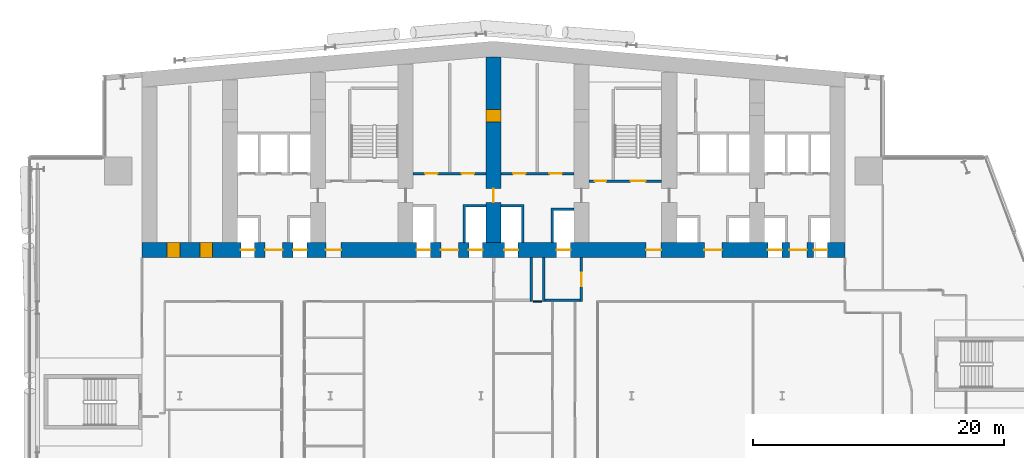
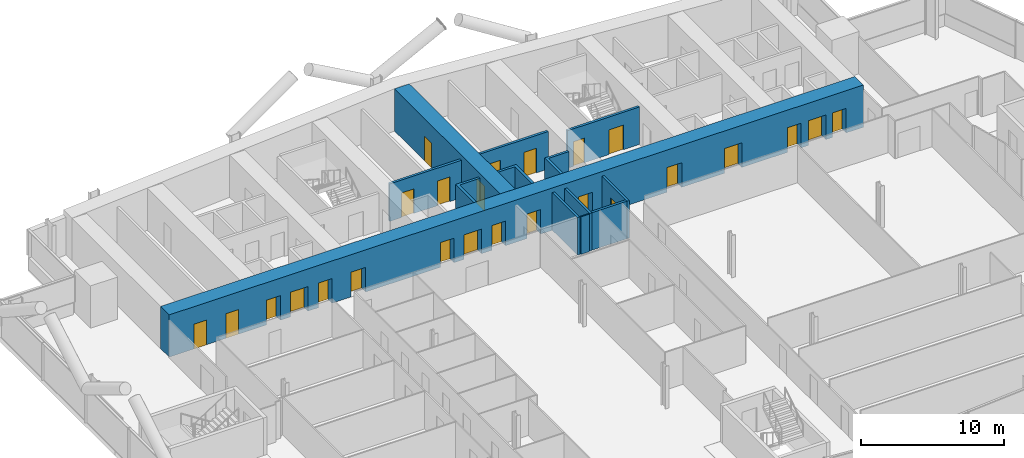
# One storey, part 16 of 27: 25 doors, 13 walls, 25 openings.
"""IFC4 building model written with IfcOpenShell, lengths in metres."""

from ifc_helpers import new_model, si_unit, direction, frame, frame_2d, origin, place, context, subcontext, project, spatial, polyline, rectangle, outline, extrude, material, layer, layer_set, type_object, element, fill, save


model = new_model("IFC4")

# Units and contexts
model_context = context("Model", 3, precision=1e-05, world=origin(), true_north=direction((0.0, 1.0)))
body_context = subcontext(model_context, "Body", "Model", "MODEL_VIEW")
ifc_project = project(units=[si_unit("LENGTHUNIT", "METRE"), si_unit("AREAUNIT", "SQUARE_METRE"), si_unit("VOLUMEUNIT", "CUBIC_METRE"), si_unit("PLANEANGLEUNIT", "RADIAN"), si_unit("MASSUNIT", "GRAM", prefix="KILO")], contexts=[model_context])

# Site, building, storey
site_placement = place(None, origin())
site = spatial("IfcSite", under=ifc_project, at=site_placement, CompositionType="ELEMENT")
building_placement = place(site_placement, origin())
building = spatial("IfcBuilding", under=site, at=building_placement, Name="Wharfspan Tower", CompositionType="ELEMENT")
storey_placement = place(building_placement, frame((0.0, 0.0, 81.100098)))
storey = spatial("IfcBuildingStorey", under=building, at=storey_placement, Name="L17", CompositionType="ELEMENT", Elevation=81.100098)

# Wall
ifc_material_1 = material(Name="Gypsum board on steel studs", Category="steel")
ifc_layer_1 = layer(ifc_material_1, 0.100098)
ifc_layer_set_1 = layer_set([ifc_layer_1], Name="Gypsum board on steel studs")
wall_type_1 = type_object("IfcWallType", Name="Compartment wall 100 EI 60", PredefinedType="PARTITIONING", material=ifc_layer_set_1)
wall_1_placement = place(storey_placement, frame((40.149902, 30.5, 0.0), z_axis=(0.0, 0.0, 1.0), x_axis=(1.0, 0.0, 0.0)))
element("IfcWall", 1, at=wall_1_placement, inside=storey, type_object=wall_type_1, Name="Partition L17.w026 (2)", PredefinedType="PARTITIONING", context=body_context, shape_type="SweptSolid", body=[
    extrude(rectangle(XDim=0.700195, YDim=0.100098, at=frame_2d((0.350098, 0.0))), origin(), (0.0, 0.0, 1.0), 3.199951),
])

# Wall, openings, doors
ifc_material_2 = material(Name="Concrete C70/85", Category="concrete")
ifc_layer_2 = layer(ifc_material_2, 1.199951)
ifc_layer_set_2 = layer_set([ifc_layer_2], Name="Concrete C70/85")
wall_type_2 = type_object("IfcWallType", Name="Core wall 1200 C70/85", PredefinedType="SHEAR", material=ifc_layer_set_2)
wall_2_placement = place(storey_placement, frame((9.0, 34.600098, 0.0), z_axis=(0.0, 0.0, 1.0), x_axis=(1.0, 0.0, 0.0)))
wall_2 = element("IfcWall", 2, at=wall_2_placement, inside=storey, type_object=wall_type_2, Name="Core front wall L17", PredefinedType="SHEAR", context=body_context, shape_type="SweptSolid", body=[
    extrude(rectangle(XDim=56.0, YDim=1.199951, at=frame_2d((28.0, 0.0))), origin(), (0.0, 0.0, 1.0), 3.599854),
])
opening_1_placement = place(wall_2_placement, frame((2.0, 0.0, 0.0)))
opening_1 = element("IfcOpeningElement", 3, at=opening_1_placement, cuts=wall_2, Name="Opening CD17.01", PredefinedType="OPENING", context=body_context, shape_type="SweptSolid", body=[
    extrude(rectangle(XDim=1.0, YDim=2.100098, at=frame_2d((0.5, 1.050049))), frame((0.0, 0.609863, 0.0), z_axis=(0.0, -1.0, 0.0), x_axis=(1.0, 0.0, 0.0)), (0.0, 0.0, 1.0), 1.219971),
])
opening_2_placement = place(wall_2_placement, frame((4.600098, 0.0, 0.0)))
opening_2 = element("IfcOpeningElement", 4, at=opening_2_placement, cuts=wall_2, Name="Opening CD17.02", PredefinedType="OPENING", context=body_context, shape_type="SweptSolid", body=[
    extrude(rectangle(XDim=1.0, YDim=2.100098, at=frame_2d((0.5, 1.050049))), frame((0.0, 0.609863, 0.0), z_axis=(0.0, -1.0, 0.0), x_axis=(1.0, 0.0, 0.0)), (0.0, 0.0, 1.0), 1.219971),
])
opening_3_placement = place(wall_2_placement, frame((7.866699, 0.0, 0.0)))
opening_3 = element("IfcOpeningElement", 5, at=opening_3_placement, cuts=wall_2, Name="Opening LD.LA1.L17", PredefinedType="OPENING", context=body_context, shape_type="SweptSolid", body=[
    extrude(rectangle(XDim=1.100098, YDim=2.100098, at=frame_2d((0.550049, 1.050049))), frame((0.0, 0.609863, 0.0), z_axis=(0.0, -1.0, 0.0), x_axis=(1.0, 0.0, 0.0)), (0.0, 0.0, 1.0), 1.219971),
])
opening_4_placement = place(wall_2_placement, frame((12.033203, 0.0, 0.0)))
opening_4 = element("IfcOpeningElement", 6, at=opening_4_placement, cuts=wall_2, Name="Opening LD.LA2.L17", PredefinedType="OPENING", context=body_context, shape_type="SweptSolid", body=[
    extrude(rectangle(XDim=1.100098, YDim=2.100098, at=frame_2d((0.550049, 1.050049))), frame((0.0, 0.609863, 0.0), z_axis=(0.0, -1.0, 0.0), x_axis=(1.0, 0.0, 0.0)), (0.0, 0.0, 1.0), 1.219971),
])
opening_5_placement = place(wall_2_placement, frame((9.800049, 0.0, 0.0)))
opening_5 = element("IfcOpeningElement", 7, at=opening_5_placement, cuts=wall_2, Name="Opening HD17.1", PredefinedType="OPENING", context=body_context, shape_type="SweptSolid", body=[
    extrude(rectangle(XDim=1.399902, YDim=2.100098, at=frame_2d((0.699951, 1.050049))), frame((0.0, 0.609863, 0.0), z_axis=(0.0, -1.0, 0.0), x_axis=(1.0, 0.0, 0.0)), (0.0, 0.0, 1.0), 1.219971),
])
opening_6_placement = place(wall_2_placement, frame((14.649902, 0.0, 0.0)))
opening_6 = element("IfcOpeningElement", 8, at=opening_6_placement, cuts=wall_2, Name="Opening SV2.L17", PredefinedType="OPENING", context=body_context, shape_type="SweptSolid", body=[
    extrude(rectangle(XDim=1.199951, YDim=2.100098, at=frame_2d((0.600098, 1.050049))), frame((0.0, 0.609863, 0.0), z_axis=(0.0, -1.0, 0.0), x_axis=(1.0, 0.0, 0.0)), (0.0, 0.0, 1.0), 1.219971),
])
opening_7_placement = place(wall_2_placement, frame((21.866699, 0.0, 0.0)))
opening_7 = element("IfcOpeningElement", 9, at=opening_7_placement, cuts=wall_2, Name="Opening LD.SL1.L17", PredefinedType="OPENING", context=body_context, shape_type="SweptSolid", body=[
    extrude(rectangle(XDim=1.100098, YDim=2.100098, at=frame_2d((0.550049, 1.050049))), frame((0.0, 0.609863, 0.0), z_axis=(0.0, -1.0, 0.0), x_axis=(1.0, 0.0, 0.0)), (0.0, 0.0, 1.0), 1.219971),
])
opening_8_placement = place(wall_2_placement, frame((26.033203, 0.0, 0.0)))
opening_8 = element("IfcOpeningElement", 10, at=opening_8_placement, cuts=wall_2, Name="Opening LD.SL2.L17", PredefinedType="OPENING", context=body_context, shape_type="SweptSolid", body=[
    extrude(rectangle(XDim=1.100098, YDim=2.100098, at=frame_2d((0.550049, 1.050049))), frame((0.0, 0.609863, 0.0), z_axis=(0.0, -1.0, 0.0), x_axis=(1.0, 0.0, 0.0)), (0.0, 0.0, 1.0), 1.219971),
])
opening_9_placement = place(wall_2_placement, frame((23.800049, 0.0, 0.0)))
opening_9 = element("IfcOpeningElement", 11, at=opening_9_placement, cuts=wall_2, Name="Opening HD17.3", PredefinedType="OPENING", context=body_context, shape_type="SweptSolid", body=[
    extrude(rectangle(XDim=1.399902, YDim=2.100098, at=frame_2d((0.699951, 1.050049))), frame((0.0, 0.609863, 0.0), z_axis=(0.0, -1.0, 0.0), x_axis=(1.0, 0.0, 0.0)), (0.0, 0.0, 1.0), 1.219971),
])
opening_10_placement = place(wall_2_placement, frame((28.866699, 0.0, 0.0)))
opening_10 = element("IfcOpeningElement", 12, at=opening_10_placement, cuts=wall_2, Name="Opening LD.FF1.L17", PredefinedType="OPENING", context=body_context, shape_type="SweptSolid", body=[
    extrude(rectangle(XDim=1.100098, YDim=2.100098, at=frame_2d((0.550049, 1.050049))), frame((0.0, 0.609863, 0.0), z_axis=(0.0, -1.0, 0.0), x_axis=(1.0, 0.0, 0.0)), (0.0, 0.0, 1.0), 1.219971),
])
opening_11_placement = place(wall_2_placement, frame((33.033203, 0.0, 0.0)))
opening_11 = element("IfcOpeningElement", 13, at=opening_11_placement, cuts=wall_2, Name="Opening LD.FF2.L17", PredefinedType="OPENING", context=body_context, shape_type="SweptSolid", body=[
    extrude(rectangle(XDim=1.100098, YDim=2.100098, at=frame_2d((0.550049, 1.050049))), frame((0.0, 0.609863, 0.0), z_axis=(0.0, -1.0, 0.0), x_axis=(1.0, 0.0, 0.0)), (0.0, 0.0, 1.0), 1.219971),
])
opening_12_placement = place(wall_2_placement, frame((40.149902, 0.0, 0.0)))
opening_12 = element("IfcOpeningElement", 14, at=opening_12_placement, cuts=wall_2, Name="Opening SV5.L17", PredefinedType="OPENING", context=body_context, shape_type="SweptSolid", body=[
    extrude(rectangle(XDim=1.199951, YDim=2.100098, at=frame_2d((0.600098, 1.050049))), frame((0.0, 0.609863, 0.0), z_axis=(0.0, -1.0, 0.0), x_axis=(1.0, 0.0, 0.0)), (0.0, 0.0, 1.0), 1.219971),
])
opening_13_placement = place(wall_2_placement, frame((44.800049, 0.0, 0.0)))
opening_13 = element("IfcOpeningElement", 15, at=opening_13_placement, cuts=wall_2, Name="Opening HD17.6", PredefinedType="OPENING", context=body_context, shape_type="SweptSolid", body=[
    extrude(rectangle(XDim=1.399902, YDim=2.100098, at=frame_2d((0.699951, 1.050049))), frame((0.0, 0.609863, 0.0), z_axis=(0.0, -1.0, 0.0), x_axis=(1.0, 0.0, 0.0)), (0.0, 0.0, 1.0), 1.219971),
])
opening_14_placement = place(wall_2_placement, frame((49.866699, 0.0, 0.0)))
opening_14 = element("IfcOpeningElement", 16, at=opening_14_placement, cuts=wall_2, Name="Opening LD.LA6.L17", PredefinedType="OPENING", context=body_context, shape_type="SweptSolid", body=[
    extrude(rectangle(XDim=1.100098, YDim=2.100098, at=frame_2d((0.550049, 1.050049))), frame((0.0, 0.609863, 0.0), z_axis=(0.0, -1.0, 0.0), x_axis=(1.0, 0.0, 0.0)), (0.0, 0.0, 1.0), 1.219971),
])
opening_15_placement = place(wall_2_placement, frame((53.5, 0.0, 0.0)))
opening_15 = element("IfcOpeningElement", 17, at=opening_15_placement, cuts=wall_2, Name="Opening LD.LA7.L17", PredefinedType="OPENING", context=body_context, shape_type="SweptSolid", body=[
    extrude(rectangle(XDim=1.100098, YDim=2.100098, at=frame_2d((0.550049, 1.050049))), frame((0.0, 0.609863, 0.0), z_axis=(0.0, -1.0, 0.0), x_axis=(1.0, 0.0, 0.0)), (0.0, 0.0, 1.0), 1.219971),
])
opening_16_placement = place(wall_2_placement, frame((51.56665, 0.0, 0.0)))
opening_16 = element("IfcOpeningElement", 18, at=opening_16_placement, cuts=wall_2, Name="Opening HD17.7", PredefinedType="OPENING", context=body_context, shape_type="SweptSolid", body=[
    extrude(rectangle(XDim=1.399902, YDim=2.100098, at=frame_2d((0.699951, 1.050049))), frame((0.0, 0.609863, 0.0), z_axis=(0.0, -1.0, 0.0), x_axis=(1.0, 0.0, 0.0)), (0.0, 0.0, 1.0), 1.219971),
])
ifc_material_3 = material(Name="Steel door leaf", Category="steel")
door_type_1 = type_object("IfcDoorType", Name="Core room door 1000x2100", OperationType="SINGLE_SWING_LEFT", PredefinedType="DOOR", material=ifc_material_3)
door_1_placement = place(opening_1_placement, origin())
door_1 = element("IfcDoor", 19, at=door_1_placement, inside=storey, type_object=door_type_1, Name="d:L17:0:rf", OperationType="SINGLE_SWING_LEFT", OverallHeight=2.100098, OverallWidth=1.0, PredefinedType="DOOR", context=body_context, shape_type="SweptSolid", body=[
    extrude(rectangle(XDim=1.0, YDim=2.100098, at=frame_2d((0.5, 1.050049))), frame((0.0, 0.599609, 0.0), z_axis=(0.0, -1.0, 0.0), x_axis=(1.0, 0.0, 0.0)), (0.0, 0.0, 1.0), 1.199463),
])
fill(opening_1, door_1)
door_2_placement = place(opening_2_placement, origin())
door_2 = element("IfcDoor", 20, at=door_2_placement, inside=storey, type_object=door_type_1, Name="d:L17:0:rr", OperationType="SINGLE_SWING_RIGHT", OverallHeight=2.100098, OverallWidth=1.0, PredefinedType="DOOR", context=body_context, shape_type="SweptSolid", body=[
    extrude(rectangle(XDim=1.0, YDim=2.100098, at=frame_2d((0.5, 1.050049))), frame((0.0, 0.599609, 0.0), z_axis=(0.0, -1.0, 0.0), x_axis=(1.0, 0.0, 0.0)), (0.0, 0.0, 1.0), 1.199463),
])
fill(opening_2, door_2)
door_type_2 = type_object("IfcDoorType", Name="Hall entry door 1400x2100", OperationType="DOUBLE_DOOR_SINGLE_SWING", PredefinedType="DOOR", material=ifc_material_3)
door_3_placement = place(opening_5_placement, origin())
door_3 = element("IfcDoor", 21, at=door_3_placement, inside=storey, type_object=door_type_2, Name="d:L17:1:hd1", OperationType="DOUBLE_DOOR_SINGLE_SWING", OverallHeight=2.100098, OverallWidth=1.399902, PredefinedType="DOOR", context=body_context, shape_type="SweptSolid", body=[
    extrude(rectangle(XDim=1.399902, YDim=2.100098, at=frame_2d((0.699951, 1.050049))), frame((0.0, 0.024902, 0.0), z_axis=(0.0, -1.0, 0.0), x_axis=(1.0, 0.0, 0.0)), (0.0, 0.0, 1.0), 0.050049),
])
fill(opening_5, door_3)
door_4_placement = place(opening_9_placement, origin())
door_4 = element("IfcDoor", 22, at=door_4_placement, inside=storey, type_object=door_type_2, Name="d:L17:3:hd3", OperationType="DOUBLE_DOOR_SINGLE_SWING", OverallHeight=2.100098, OverallWidth=1.399902, PredefinedType="DOOR", context=body_context, shape_type="SweptSolid", body=[
    extrude(rectangle(XDim=1.399902, YDim=2.100098, at=frame_2d((0.699951, 1.050049))), frame((0.0, 0.024902, 0.0), z_axis=(0.0, -1.0, 0.0), x_axis=(1.0, 0.0, 0.0)), (0.0, 0.0, 1.0), 0.050049),
])
fill(opening_9, door_4)
door_5_placement = place(opening_13_placement, origin())
door_5 = element("IfcDoor", 23, at=door_5_placement, inside=storey, type_object=door_type_2, Name="d:L17:6:hd6", OperationType="DOUBLE_DOOR_SINGLE_SWING", OverallHeight=2.100098, OverallWidth=1.399902, PredefinedType="DOOR", context=body_context, shape_type="SweptSolid", body=[
    extrude(rectangle(XDim=1.399902, YDim=2.100098, at=frame_2d((0.699951, 1.050049))), frame((0.0, 0.024902, 0.0), z_axis=(0.0, -1.0, 0.0), x_axis=(1.0, 0.0, 0.0)), (0.0, 0.0, 1.0), 0.050049),
])
fill(opening_13, door_5)
door_6_placement = place(opening_16_placement, origin())
door_6 = element("IfcDoor", 24, at=door_6_placement, inside=storey, type_object=door_type_2, Name="d:L17:7:hd7", OperationType="DOUBLE_DOOR_SINGLE_SWING", OverallHeight=2.100098, OverallWidth=1.399902, PredefinedType="DOOR", context=body_context, shape_type="SweptSolid", body=[
    extrude(rectangle(XDim=1.399902, YDim=2.100098, at=frame_2d((0.699951, 1.050049))), frame((0.0, 0.024902, 0.0), z_axis=(0.0, -1.0, 0.0), x_axis=(1.0, 0.0, 0.0)), (0.0, 0.0, 1.0), 0.050049),
])
fill(opening_16, door_6)
ifc_material_4 = material(Name="Stainless steel", Category="steel")
door_type_3 = type_object("IfcDoorType", Name="Lift landing door 1100x2100", OperationType="DOUBLE_DOOR_SLIDING", PredefinedType="DOOR", material=ifc_material_4)
door_7_placement = place(opening_3_placement, origin())
door_7 = element("IfcDoor", 25, at=door_7_placement, inside=storey, type_object=door_type_3, Name="Landing door LA1 L17", OperationType="DOUBLE_DOOR_SLIDING", OverallHeight=2.100098, OverallWidth=1.100098, PredefinedType="DOOR", context=body_context, shape_type="SweptSolid", body=[
    extrude(rectangle(XDim=1.100098, YDim=2.100098, at=frame_2d((0.550049, 1.050049))), frame((0.0, 0.024902, 0.0), z_axis=(0.0, -1.0, 0.0), x_axis=(1.0, 0.0, 0.0)), (0.0, 0.0, 1.0), 0.050049),
])
fill(opening_3, door_7)
door_8_placement = place(opening_4_placement, origin())
door_8 = element("IfcDoor", 26, at=door_8_placement, inside=storey, type_object=door_type_3, Name="Landing door LA2 L17", OperationType="DOUBLE_DOOR_SLIDING", OverallHeight=2.100098, OverallWidth=1.100098, PredefinedType="DOOR", context=body_context, shape_type="SweptSolid", body=[
    extrude(rectangle(XDim=1.100098, YDim=2.100098, at=frame_2d((0.550049, 1.050049))), frame((0.0, 0.024902, 0.0), z_axis=(0.0, -1.0, 0.0), x_axis=(1.0, 0.0, 0.0)), (0.0, 0.0, 1.0), 0.050049),
])
fill(opening_4, door_8)
door_9_placement = place(opening_7_placement, origin())
door_9 = element("IfcDoor", 27, at=door_9_placement, inside=storey, type_object=door_type_3, Name="Landing door SL1 L17", OperationType="DOUBLE_DOOR_SLIDING", OverallHeight=2.100098, OverallWidth=1.100098, PredefinedType="DOOR", context=body_context, shape_type="SweptSolid", body=[
    extrude(rectangle(XDim=1.100098, YDim=2.100098, at=frame_2d((0.550049, 1.050049))), frame((0.0, 0.024902, 0.0), z_axis=(0.0, -1.0, 0.0), x_axis=(1.0, 0.0, 0.0)), (0.0, 0.0, 1.0), 0.050049),
])
fill(opening_7, door_9)
door_10_placement = place(opening_8_placement, origin())
door_10 = element("IfcDoor", 28, at=door_10_placement, inside=storey, type_object=door_type_3, Name="Landing door SL2 L17", OperationType="DOUBLE_DOOR_SLIDING", OverallHeight=2.100098, OverallWidth=1.100098, PredefinedType="DOOR", context=body_context, shape_type="SweptSolid", body=[
    extrude(rectangle(XDim=1.100098, YDim=2.100098, at=frame_2d((0.550049, 1.050049))), frame((0.0, 0.024902, 0.0), z_axis=(0.0, -1.0, 0.0), x_axis=(1.0, 0.0, 0.0)), (0.0, 0.0, 1.0), 0.050049),
])
fill(opening_8, door_10)
door_11_placement = place(opening_10_placement, origin())
door_11 = element("IfcDoor", 29, at=door_11_placement, inside=storey, type_object=door_type_3, Name="Landing door FF1 L17", OperationType="DOUBLE_DOOR_SLIDING", OverallHeight=2.100098, OverallWidth=1.100098, PredefinedType="DOOR", context=body_context, shape_type="SweptSolid", body=[
    extrude(rectangle(XDim=1.100098, YDim=2.100098, at=frame_2d((0.550049, 1.050049))), frame((0.0, 0.024902, 0.0), z_axis=(0.0, -1.0, 0.0), x_axis=(1.0, 0.0, 0.0)), (0.0, 0.0, 1.0), 0.050049),
])
fill(opening_10, door_11)
door_12_placement = place(opening_11_placement, origin())
door_12 = element("IfcDoor", 30, at=door_12_placement, inside=storey, type_object=door_type_3, Name="Landing door FF2 L17", OperationType="DOUBLE_DOOR_SLIDING", OverallHeight=2.100098, OverallWidth=1.100098, PredefinedType="DOOR", context=body_context, shape_type="SweptSolid", body=[
    extrude(rectangle(XDim=1.100098, YDim=2.100098, at=frame_2d((0.550049, 1.050049))), frame((0.0, 0.024902, 0.0), z_axis=(0.0, -1.0, 0.0), x_axis=(1.0, 0.0, 0.0)), (0.0, 0.0, 1.0), 0.050049),
])
fill(opening_11, door_12)
door_13_placement = place(opening_14_placement, origin())
door_13 = element("IfcDoor", 31, at=door_13_placement, inside=storey, type_object=door_type_3, Name="Landing door LA6 L17", OperationType="DOUBLE_DOOR_SLIDING", OverallHeight=2.100098, OverallWidth=1.100098, PredefinedType="DOOR", context=body_context, shape_type="SweptSolid", body=[
    extrude(rectangle(XDim=1.100098, YDim=2.100098, at=frame_2d((0.550049, 1.050049))), frame((0.0, 0.024902, 0.0), z_axis=(0.0, -1.0, 0.0), x_axis=(1.0, 0.0, 0.0)), (0.0, 0.0, 1.0), 0.050049),
])
fill(opening_14, door_13)
door_14_placement = place(opening_15_placement, origin())
door_14 = element("IfcDoor", 32, at=door_14_placement, inside=storey, type_object=door_type_3, Name="Landing door LA7 L17", OperationType="DOUBLE_DOOR_SLIDING", OverallHeight=2.100098, OverallWidth=1.100098, PredefinedType="DOOR", context=body_context, shape_type="SweptSolid", body=[
    extrude(rectangle(XDim=1.100098, YDim=2.100098, at=frame_2d((0.550049, 1.050049))), frame((0.0, 0.024902, 0.0), z_axis=(0.0, -1.0, 0.0), x_axis=(1.0, 0.0, 0.0)), (0.0, 0.0, 1.0), 0.050049),
])
fill(opening_15, door_14)
door_type_4 = type_object("IfcDoorType", Name="Stair door 1200x2100", OperationType="SINGLE_SWING_LEFT", PredefinedType="DOOR", material=ifc_material_3)
door_15_placement = place(opening_6_placement, origin())
door_15 = element("IfcDoor", 33, at=door_15_placement, inside=storey, type_object=door_type_4, Name="vd:L17:2", OperationType="SINGLE_SWING_LEFT", OverallHeight=2.100098, OverallWidth=1.199951, PredefinedType="DOOR", context=body_context, shape_type="SweptSolid", body=[
    extrude(rectangle(XDim=1.199951, YDim=2.100098, at=frame_2d((0.600098, 1.050049))), frame((0.0, 0.024902, 0.0), z_axis=(0.0, -1.0, 0.0), x_axis=(1.0, 0.0, 0.0)), (0.0, 0.0, 1.0), 0.050049),
])
fill(opening_6, door_15)
door_16_placement = place(opening_12_placement, origin())
door_16 = element("IfcDoor", 34, at=door_16_placement, inside=storey, type_object=door_type_4, Name="vd:L17:5", OperationType="SINGLE_SWING_LEFT", OverallHeight=2.100098, OverallWidth=1.199951, PredefinedType="DOOR", context=body_context, shape_type="SweptSolid", body=[
    extrude(rectangle(XDim=1.199951, YDim=2.100098, at=frame_2d((0.600098, 1.050049))), frame((0.0, 0.024902, 0.0), z_axis=(0.0, -1.0, 0.0), x_axis=(1.0, 0.0, 0.0)), (0.0, 0.0, 1.0), 0.050049),
])
fill(opening_12, door_16)

wall_3_placement = place(storey_placement, frame((37.0, 35.199951, 0.0), z_axis=(0.0, 0.0, 1.0), x_axis=(0.0, 1.0, 0.0)))
wall_3 = element("IfcWall", 35, at=wall_3_placement, inside=storey, type_object=wall_type_2, Name="Core cross wall X4 L17", PredefinedType="SHEAR", context=body_context, shape_type="SweptSolid", body=[
    extrude(rectangle(XDim=14.780029, YDim=1.199951, at=frame_2d((7.390137, 0.0))), origin(), (0.0, 0.0, 1.0), 3.599854),
])
opening_17_placement = place(wall_3_placement, frame((3.199951, 0.0, 0.0)))
opening_17 = element("IfcOpeningElement", 36, at=opening_17_placement, cuts=wall_3, Name="Opening CC17.4", PredefinedType="OPENING", context=body_context, shape_type="SweptSolid", body=[
    extrude(rectangle(XDim=1.100098, YDim=2.100098, at=frame_2d((0.550049, 1.050049))), frame((0.0, 0.609863, 0.0), z_axis=(0.0, -1.0, 0.0), x_axis=(1.0, 0.0, 0.0)), (0.0, 0.0, 1.0), 1.219971),
])
opening_18_placement = place(wall_3_placement, frame((9.600098, 0.0, 0.0)))
opening_18 = element("IfcOpeningElement", 37, at=opening_18_placement, cuts=wall_3, Name="Opening CR17.4", PredefinedType="OPENING", context=body_context, shape_type="SweptSolid", body=[
    extrude(rectangle(XDim=1.0, YDim=2.100098, at=frame_2d((0.5, 1.050049))), frame((0.0, 0.609863, 0.0), z_axis=(0.0, -1.0, 0.0), x_axis=(1.0, 0.0, 0.0)), (0.0, 0.0, 1.0), 1.219971),
])
door_type_5 = type_object("IfcDoorType", Name="Core corridor door 1100x2100", OperationType="SINGLE_SWING_LEFT", PredefinedType="DOOR", material=ifc_material_3)
door_17_placement = place(opening_17_placement, origin())
door_17 = element("IfcDoor", 38, at=door_17_placement, inside=storey, type_object=door_type_5, Name="xd:L17:4", OperationType="SINGLE_SWING_RIGHT", OverallHeight=2.100098, OverallWidth=1.100098, PredefinedType="DOOR", context=body_context, shape_type="SweptSolid", body=[
    extrude(rectangle(XDim=1.100098, YDim=2.100098, at=frame_2d((0.550049, 1.050049))), frame((0.0, 0.024902, 0.0), z_axis=(0.0, -1.0, 0.0), x_axis=(1.0, 0.0, 0.0)), (0.0, 0.0, 1.0), 0.050049),
])
fill(opening_17, door_17)
door_18_placement = place(opening_18_placement, origin())
door_18 = element("IfcDoor", 39, at=door_18_placement, inside=storey, type_object=door_type_1, Name="xr:L17:4", OperationType="SINGLE_SWING_RIGHT", OverallHeight=2.100098, OverallWidth=1.0, PredefinedType="DOOR", context=body_context, shape_type="SweptSolid", body=[
    extrude(rectangle(XDim=1.0, YDim=2.100098, at=frame_2d((0.5, 1.050049))), frame((0.0, 0.599609, 0.0), z_axis=(0.0, -1.0, 0.0), x_axis=(1.0, 0.0, 0.0)), (0.0, 0.0, 1.0), 1.199463),
])
fill(opening_18, door_18)

ifc_material_5 = material(Name="Concrete C30/37", Category="concrete")
ifc_layer_3 = layer(ifc_material_5, 0.199951)
ifc_layer_set_3 = layer_set([ifc_layer_3], Name="Concrete C30/37")
wall_type_3 = type_object("IfcWallType", Name="Lift shaft wall 200", PredefinedType="PARTITIONING", material=ifc_layer_set_3)
wall_4_placement = place(storey_placement, frame((30.600098, 40.699951, 0.0), z_axis=(0.0, 0.0, 1.0), x_axis=(1.0, 0.0, 0.0)))
wall_4 = element("IfcWall", 40, at=wall_4_placement, inside=storey, type_object=wall_type_3, Name="sw:L17:RF3", PredefinedType="PARTITIONING", context=body_context, shape_type="SweptSolid", body=[
    extrude(rectangle(XDim=5.799805, YDim=0.199951, at=frame_2d((2.899902, 0.0))), origin(), (0.0, 0.0, 1.0), 3.199951),
])
opening_19_placement = place(wall_4_placement, frame((0.949951, 0.0, 0.0)))
opening_19 = element("IfcOpeningElement", 41, at=opening_19_placement, cuts=wall_4, Name="Opening CD17.3S", PredefinedType="OPENING", context=body_context, shape_type="SweptSolid", body=[
    extrude(rectangle(XDim=1.0, YDim=2.100098, at=frame_2d((0.5, 1.050049))), frame((0.0, 0.109863, 0.0), z_axis=(0.0, -1.0, 0.0), x_axis=(1.0, 0.0, 0.0)), (0.0, 0.0, 1.0), 0.219971),
])
opening_20_placement = place(wall_4_placement, frame((3.850098, 0.0, 0.0)))
opening_20 = element("IfcOpeningElement", 42, at=opening_20_placement, cuts=wall_4, Name="Opening CD17.3Sa", PredefinedType="OPENING", context=body_context, shape_type="SweptSolid", body=[
    extrude(rectangle(XDim=1.0, YDim=2.100098, at=frame_2d((0.5, 1.050049))), frame((0.0, 0.109863, 0.0), z_axis=(0.0, -1.0, 0.0), x_axis=(1.0, 0.0, 0.0)), (0.0, 0.0, 1.0), 0.219971),
])
door_19_placement = place(opening_19_placement, origin())
door_19 = element("IfcDoor", 43, at=door_19_placement, inside=storey, type_object=door_type_1, Name="d:L17:3:sf", OperationType="SINGLE_SWING_LEFT", OverallHeight=2.100098, OverallWidth=1.0, PredefinedType="DOOR", context=body_context, shape_type="SweptSolid", body=[
    extrude(rectangle(XDim=1.0, YDim=2.100098, at=frame_2d((0.5, 1.050049))), frame((0.0, 0.024902, 0.0), z_axis=(0.0, -1.0, 0.0), x_axis=(1.0, 0.0, 0.0)), (0.0, 0.0, 1.0), 0.050049),
])
fill(opening_19, door_19)
door_20_placement = place(opening_20_placement, origin())
door_20 = element("IfcDoor", 44, at=door_20_placement, inside=storey, type_object=door_type_1, Name="d:L17:3:sf1", OperationType="SINGLE_SWING_LEFT", OverallHeight=2.100098, OverallWidth=1.0, PredefinedType="DOOR", context=body_context, shape_type="SweptSolid", body=[
    extrude(rectangle(XDim=1.0, YDim=2.100098, at=frame_2d((0.5, 1.050049))), frame((0.0, 0.024902, 0.0), z_axis=(0.0, -1.0, 0.0), x_axis=(1.0, 0.0, 0.0)), (0.0, 0.0, 1.0), 0.050049),
])
fill(opening_20, door_20)

# Wall
wall_5_placement = place(storey_placement, frame((0.0, 0.0, -0.000244)))
element("IfcWall", 45, at=wall_5_placement, inside=storey, type_object=wall_type_3, Name="sw:L17:FM3.1", PredefinedType="PARTITIONING", context=body_context, shape_type="SweptSolid", body=[
    extrude(outline(polyline([(34.56665, 38.25), (34.766602, 38.25), (36.399902, 38.25), (36.399902, 38.050049), (34.766602, 38.050049), (34.766602, 35.199951), (34.56665, 35.199951), (34.56665, 38.25)])), origin(), (0.0, 0.0, 1.0), 3.200195),
])

# Wall, openings, doors
wall_6_placement = place(storey_placement, frame((37.600098, 40.699951, 0.0), z_axis=(0.0, 0.0, 1.0), x_axis=(1.0, 0.0, 0.0)))
wall_6 = element("IfcWall", 46, at=wall_6_placement, inside=storey, type_object=wall_type_3, Name="sw:L17:RF4", PredefinedType="PARTITIONING", context=body_context, shape_type="SweptSolid", body=[
    extrude(rectangle(XDim=5.799805, YDim=0.199951, at=frame_2d((2.899902, 0.0))), origin(), (0.0, 0.0, 1.0), 3.199951),
])
opening_21_placement = place(wall_6_placement, frame((0.949951, 0.0, 0.0)))
opening_21 = element("IfcOpeningElement", 47, at=opening_21_placement, cuts=wall_6, Name="Opening CD17.4S", PredefinedType="OPENING", context=body_context, shape_type="SweptSolid", body=[
    extrude(rectangle(XDim=1.0, YDim=2.100098, at=frame_2d((0.5, 1.050049))), frame((0.0, 0.109863, 0.0), z_axis=(0.0, -1.0, 0.0), x_axis=(1.0, 0.0, 0.0)), (0.0, 0.0, 1.0), 0.219971),
])
opening_22_placement = place(wall_6_placement, frame((3.850098, 0.0, 0.0)))
opening_22 = element("IfcOpeningElement", 48, at=opening_22_placement, cuts=wall_6, Name="Opening CD17.4Sa", PredefinedType="OPENING", context=body_context, shape_type="SweptSolid", body=[
    extrude(rectangle(XDim=1.0, YDim=2.100098, at=frame_2d((0.5, 1.050049))), frame((0.0, 0.109863, 0.0), z_axis=(0.0, -1.0, 0.0), x_axis=(1.0, 0.0, 0.0)), (0.0, 0.0, 1.0), 0.219971),
])
door_21_placement = place(opening_21_placement, origin())
door_21 = element("IfcDoor", 49, at=door_21_placement, inside=storey, type_object=door_type_1, Name="d:L17:4:sf", OperationType="SINGLE_SWING_LEFT", OverallHeight=2.100098, OverallWidth=1.0, PredefinedType="DOOR", context=body_context, shape_type="SweptSolid", body=[
    extrude(rectangle(XDim=1.0, YDim=2.100098, at=frame_2d((0.5, 1.050049))), frame((0.0, 0.024902, 0.0), z_axis=(0.0, -1.0, 0.0), x_axis=(1.0, 0.0, 0.0)), (0.0, 0.0, 1.0), 0.050049),
])
fill(opening_21, door_21)
door_22_placement = place(opening_22_placement, origin())
door_22 = element("IfcDoor", 50, at=door_22_placement, inside=storey, type_object=door_type_1, Name="d:L17:4:sf1", OperationType="SINGLE_SWING_LEFT", OverallHeight=2.100098, OverallWidth=1.0, PredefinedType="DOOR", context=body_context, shape_type="SweptSolid", body=[
    extrude(rectangle(XDim=1.0, YDim=2.100098, at=frame_2d((0.5, 1.050049))), frame((0.0, 0.024902, 0.0), z_axis=(0.0, -1.0, 0.0), x_axis=(1.0, 0.0, 0.0)), (0.0, 0.0, 1.0), 0.050049),
])
fill(opening_22, door_22)

# Walls
wall_7_placement = place(storey_placement, frame((0.0, 0.0, -0.000244)))
element("IfcWall", 51, at=wall_7_placement, inside=storey, type_object=wall_type_3, Name="sw:L17:FM4.0", PredefinedType="PARTITIONING", context=body_context, shape_type="SweptSolid", body=[
    extrude(outline(polyline([(41.56665, 37.949951), (41.766602, 37.949951), (43.399902, 37.949951), (43.399902, 37.75), (41.766602, 37.75), (41.766602, 35.199951), (41.56665, 35.199951), (41.56665, 37.949951)])), origin(), (0.0, 0.0, 1.0), 3.200195),
])
wall_8_placement = place(storey_placement, frame((0.0, 0.0, -0.000244)))
element("IfcWall", 52, at=wall_8_placement, inside=storey, type_object=wall_type_3, Name="sw:L17:FM4.1", PredefinedType="PARTITIONING", context=body_context, shape_type="SweptSolid", body=[
    extrude(outline(polyline([(39.233398, 38.050049), (37.600098, 38.050049), (37.600098, 38.25), (39.233398, 38.25), (39.43335, 38.25), (39.43335, 35.199951), (39.233398, 35.199951), (39.233398, 38.050049)])), origin(), (0.0, 0.0, 1.0), 3.200195),
])
ifc_layer_4 = layer(ifc_material_5, 0.199951)
ifc_layer_set_4 = layer_set([ifc_layer_4], Name="Concrete C30/37")
wall_type_4 = type_object("IfcWallType", Name="Lobby wall 200", PredefinedType="PARTITIONING", material=ifc_layer_set_4)
for number, where, z_axis, x_axis, name in (
    (53, (40.0, 30.5, 0.0), (0.0, 0.0, 1.0), (0.0, 1.0, 0.0), "sw:L17:FLFF1E"),
    (54, (41.0, 30.5, 0.0), (0.0, 0.0, 1.0), (0.0, 1.0, 0.0), "sw:L17:FLFF2W"),
):
    element("IfcWall", number, at=place(storey_placement, frame(where, z_axis=z_axis, x_axis=x_axis)), inside=storey, type_object=wall_type_4, Name=name, PredefinedType="PARTITIONING", context=body_context, shape_type="SweptSolid", body=[
        extrude(rectangle(XDim=3.5, YDim=0.199951, at=frame_2d((1.75, 0.0))), origin(), (0.0, 0.0, 1.0), 3.199951),
    ])

# Wall, opening, door
wall_9_placement = place(storey_placement, frame((44.0, 30.5, 0.0), z_axis=(0.0, 0.0, 1.0), x_axis=(0.0, 1.0, 0.0)))
wall_9 = element("IfcWall", 55, at=wall_9_placement, inside=storey, type_object=wall_type_4, Name="sw:L17:FLFF2E", PredefinedType="PARTITIONING", context=body_context, shape_type="SweptSolid", body=[
    extrude(rectangle(XDim=3.5, YDim=0.199951, at=frame_2d((1.75, 0.0))), origin(), (0.0, 0.0, 1.0), 3.199951),
])
opening_23_placement = place(wall_9_placement, frame((1.199951, 0.0, 0.0)))
opening_23 = element("IfcOpeningElement", 56, at=opening_23_placement, cuts=wall_9, Name="Opening FL.FF2.L17", PredefinedType="OPENING", context=body_context, shape_type="SweptSolid", body=[
    extrude(rectangle(XDim=1.100098, YDim=2.100098, at=frame_2d((0.550049, 1.050049))), frame((0.0, 0.109863, 0.0), z_axis=(0.0, -1.0, 0.0), x_axis=(1.0, 0.0, 0.0)), (0.0, 0.0, 1.0), 0.219971),
])
door_type_6 = type_object("IfcDoorType", Name="Firefighting lobby door 1100x2100", OperationType="SINGLE_SWING_LEFT", PredefinedType="DOOR", material=ifc_material_3)
door_23_placement = place(opening_23_placement, origin())
door_23 = element("IfcDoor", 57, at=door_23_placement, inside=storey, type_object=door_type_6, Name="fd:L17:FF2", OperationType="SINGLE_SWING_LEFT", OverallHeight=2.100098, OverallWidth=1.100098, PredefinedType="DOOR", context=body_context, shape_type="SweptSolid", body=[
    extrude(rectangle(XDim=1.100098, YDim=2.100098, at=frame_2d((0.550049, 1.050049))), frame((0.0, 0.024902, 0.0), z_axis=(0.0, -1.0, 0.0), x_axis=(1.0, 0.0, 0.0)), (0.0, 0.0, 1.0), 0.050049),
])
fill(opening_23, door_23)

# Wall
wall_10_placement = place(storey_placement, frame((41.100098, 30.600098, 0.0), z_axis=(0.0, 0.0, 1.0), x_axis=(1.0, 0.0, 0.0)))
element("IfcWall", 58, at=wall_10_placement, inside=storey, type_object=wall_type_4, Name="sw:L17:FLFF2F", PredefinedType="PARTITIONING", context=body_context, shape_type="SweptSolid", body=[
    extrude(rectangle(XDim=2.799805, YDim=0.199951, at=frame_2d((1.399902, 0.0))), origin(), (0.0, 0.0, 1.0), 3.199951),
])

# Wall, openings, doors
ifc_material_6 = material(Name="Concrete C40/50", Category="concrete")
ifc_layer_5 = layer(ifc_material_6, 0.199951)
ifc_layer_set_5 = layer_set([ifc_layer_5], Name="Concrete C40/50")
wall_type_5 = type_object("IfcWallType", Name="Stair shaft wall 200", PredefinedType="SHEAR", material=ifc_layer_set_5)
wall_11_placement = place(storey_placement, frame((44.600098, 40.100098, 0.0), z_axis=(0.0, 0.0, 1.0), x_axis=(1.0, 0.0, 0.0)))
wall_11 = element("IfcWall", 59, at=wall_11_placement, inside=storey, type_object=wall_type_5, Name="ST2 stair enclosure wall L17", PredefinedType="SHEAR", context=body_context, shape_type="SweptSolid", body=[
    extrude(rectangle(XDim=5.799805, YDim=0.199951, at=frame_2d((2.899902, 0.0))), origin(), (0.0, 0.0, 1.0), 3.199951),
])
opening_24_placement = place(wall_11_placement, frame((3.324951, 0.0, 0.0)))
opening_24 = element("IfcOpeningElement", 60, at=opening_24_placement, cuts=wall_11, Name="Opening SD5.L17", PredefinedType="OPENING", context=body_context, shape_type="SweptSolid", body=[
    extrude(rectangle(XDim=1.199951, YDim=2.100098, at=frame_2d((0.600098, 1.050049))), frame((0.0, 0.109863, 0.0), z_axis=(0.0, -1.0, 0.0), x_axis=(1.0, 0.0, 0.0)), (0.0, 0.0, 1.0), 0.219971),
])
opening_25_placement = place(wall_11_placement, frame((0.475098, 0.0, 0.0)))
opening_25 = element("IfcOpeningElement", 61, at=opening_25_placement, cuts=wall_11, Name="Opening CD17.5R", PredefinedType="OPENING", context=body_context, shape_type="SweptSolid", body=[
    extrude(rectangle(XDim=0.899902, YDim=2.100098, at=frame_2d((0.449951, 1.050049))), frame((0.0, 0.109863, 0.0), z_axis=(0.0, -1.0, 0.0), x_axis=(1.0, 0.0, 0.0)), (0.0, 0.0, 1.0), 0.219971),
])
door_24_placement = place(opening_25_placement, origin())
door_24 = element("IfcDoor", 62, at=door_24_placement, inside=storey, type_object=door_type_1, Name="rk:L17:5", OperationType="SINGLE_SWING_LEFT", OverallHeight=2.100098, OverallWidth=0.899902, PredefinedType="DOOR", context=body_context, shape_type="SweptSolid", body=[
    extrude(rectangle(XDim=0.899902, YDim=2.100098, at=frame_2d((0.449951, 1.050049))), frame((0.0, 0.024902, 0.0), z_axis=(0.0, -1.0, 0.0), x_axis=(1.0, 0.0, 0.0)), (0.0, 0.0, 1.0), 0.050049),
])
fill(opening_25, door_24)
door_25_placement = place(opening_24_placement, origin())
door_25 = element("IfcDoor", 63, at=door_25_placement, inside=storey, type_object=door_type_4, Name="sd:L17:5", OperationType="SINGLE_SWING_RIGHT", OverallHeight=2.100098, OverallWidth=1.199951, PredefinedType="DOOR", context=body_context, shape_type="SweptSolid", body=[
    extrude(rectangle(XDim=1.199951, YDim=2.100098, at=frame_2d((0.600098, 1.050049))), frame((0.0, 0.024902, 0.0), z_axis=(0.0, -1.0, 0.0), x_axis=(1.0, 0.0, 0.0)), (0.0, 0.0, 1.0), 0.050049),
])
fill(opening_24, door_25)

save(model, "model.ifc")
